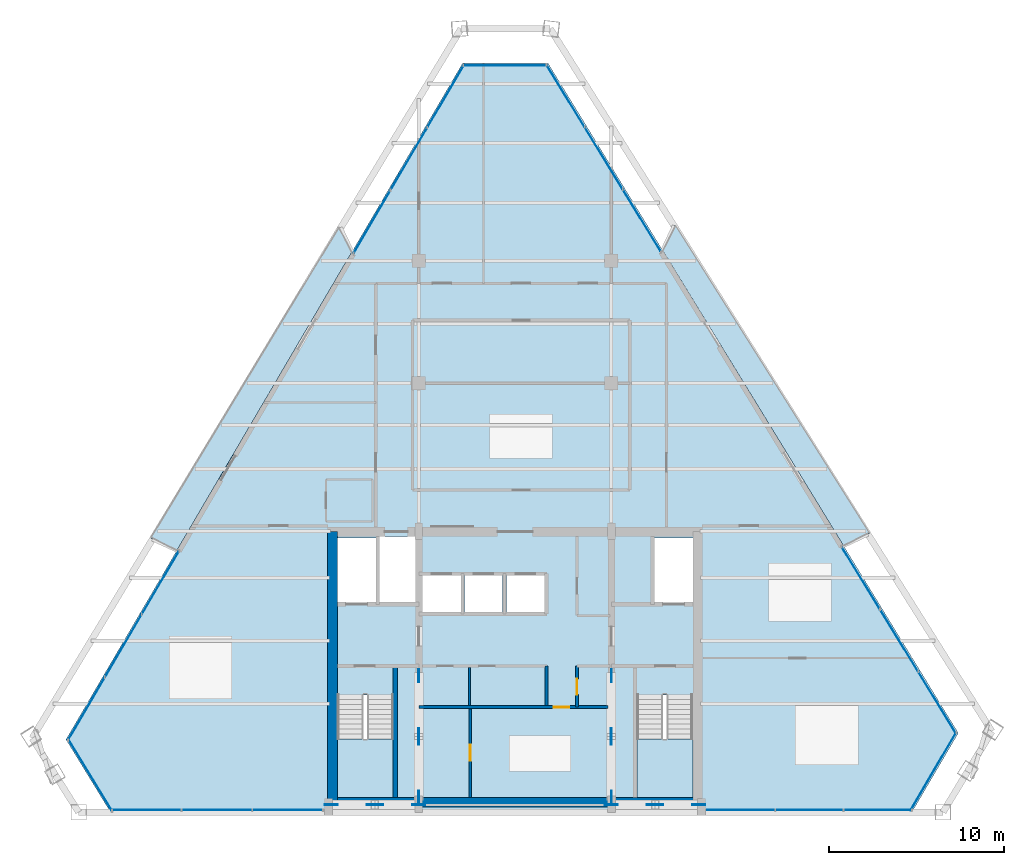
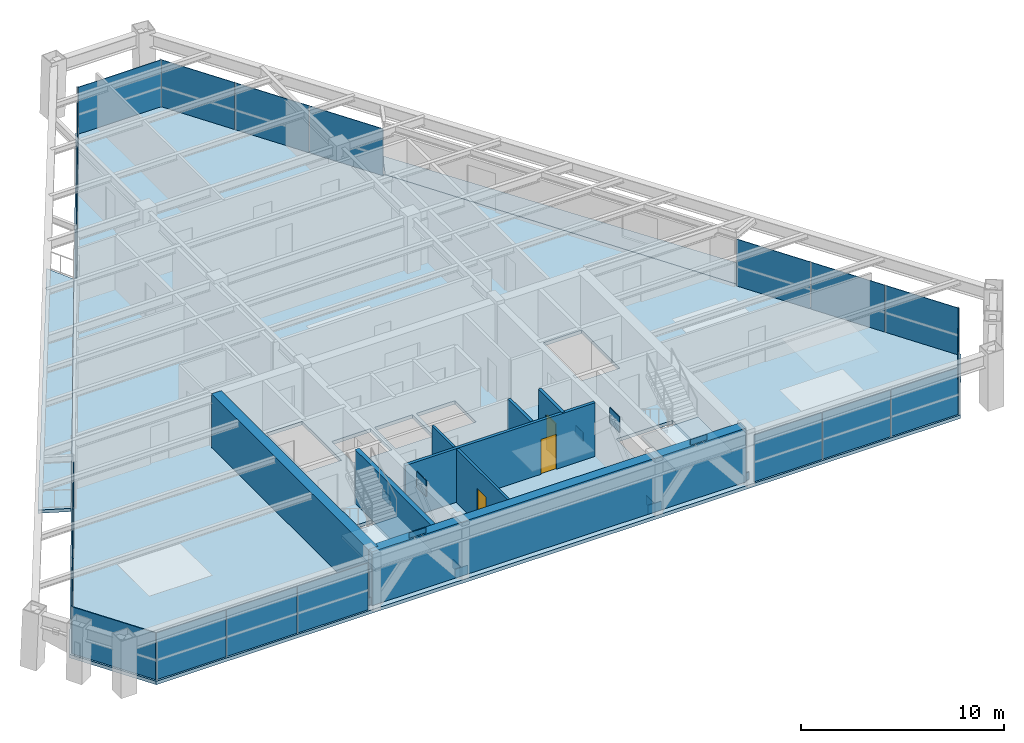
# One storey, part 8 of 13: 33 plates, 8 walls, 5 slabs, 3 doors, 3 openings, 11 elements without a shape of their own.
"""IFC4 building model written with IfcOpenShell, lengths in metres."""

from ifc_helpers import new_model, si_unit, direction, frame, frame_2d, origin, origin_2d, place, context, subcontext, project, spatial, polyline, rectangle, outline, extrude, source, transform, mapped, material, layer, layer_set, type_object, type_shapes, element, fill, aggregate, save


model = new_model("IFC4")

# Units and contexts
model_context = context("Model", 3, precision=1e-05, world=origin(), true_north=direction((0.0, 1.0)))
body_context = subcontext(model_context, "Body", "Model", "MODEL_VIEW")
ifc_project = project(units=[si_unit("LENGTHUNIT", "METRE"), si_unit("AREAUNIT", "SQUARE_METRE"), si_unit("VOLUMEUNIT", "CUBIC_METRE"), si_unit("PLANEANGLEUNIT", "RADIAN"), si_unit("MASSUNIT", "GRAM", prefix="KILO")], contexts=[model_context])

# Site, building, storey
site_placement = place(None, origin())
site = spatial("IfcSite", under=ifc_project, at=site_placement, CompositionType="ELEMENT")
building_placement = place(site_placement, origin())
building = spatial("IfcBuilding", under=site, at=building_placement, Name="Varnakhor Terracotta Tower", CompositionType="ELEMENT")
storey_placement = place(building_placement, frame((0.0, 0.0, 247.60009765625)))
storey = spatial("IfcBuildingStorey", under=building, at=storey_placement, Name="L64", CompositionType="ELEMENT", Elevation=247.60009765625)

# Slab
ifc_material_1 = material(Name="Concrete C40/50", Category="concrete")
ifc_layer_1 = layer(ifc_material_1, 0.2099609375, Name="Concrete C40/50")
ifc_layer_set_1 = layer_set([ifc_layer_1], Name="Concrete C40/50")
slab_type_1 = type_object("IfcSlabType", Name="SLB-HTL-210", PredefinedType="FLOOR", material=ifc_layer_set_1)
slab_1_placement = place(storey_placement, frame((0.0, 0.0, -0.210205078125)))
element("IfcSlab", 1, at=slab_1_placement, inside=storey, type_object=slab_type_1, Name="L64 Structural Floor Slab", PredefinedType="FLOOR", context=body_context, shape_type="SweptSolid", body=[
    extrude(outline(polyline([(-25.647216796875, 4.1513671875), (-2.996826171875, 42.774169921875), (1.88232421875, 42.774169921875), (25.314208984375, 4.51806640625), (22.664794921875, 0.0), (-23.1044921875, 0.0), (-25.647216796875, 4.1513671875)]), holes=[polyline([(-6.949951171875, 0.85009765625), (-6.949951171875, 6.695068359375), (-10.14990234375, 6.695068359375), (-10.14990234375, 0.85009765625), (-6.949951171875, 0.85009765625)]), polyline([(10.14990234375, 0.85009765625), (10.14990234375, 6.695068359375), (6.949951171875, 6.695068359375), (6.949951171875, 0.85009765625), (10.14990234375, 0.85009765625)]), polyline([(-3.10009765625, 11.419921875), (-3.10009765625, 13.52001953125), (-5.300048828125, 13.52001953125), (-5.300048828125, 11.419921875), (-3.10009765625, 11.419921875)]), polyline([(-0.719970703125, 11.419921875), (-0.719970703125, 13.52001953125), (-2.8798828125, 13.52001953125), (-2.8798828125, 11.419921875), (-0.719970703125, 11.419921875)]), polyline([(1.699951171875, 11.419921875), (1.699951171875, 13.52001953125), (-0.5, 13.52001953125), (-0.5, 11.419921875), (1.699951171875, 11.419921875)]), polyline([(-7.949951171875, 11.8798828125), (-7.949951171875, 15.64990234375), (-10.14990234375, 15.64990234375), (-10.14990234375, 11.8798828125), (-7.949951171875, 11.8798828125)]), polyline([(10.14990234375, 11.8798828125), (10.14990234375, 15.64990234375), (7.949951171875, 15.64990234375), (7.949951171875, 11.8798828125), (10.14990234375, 11.8798828125)]), polyline([(-5.699951171875, 11.8798828125), (-5.699951171875, 15.75), (-7.72998046875, 15.75), (-7.72998046875, 11.8798828125), (-5.699951171875, 11.8798828125)])]), origin(), (0.0, 0.0, 1.0), 0.210205078125),
])

# Stair, slab
stair_type = type_object("IfcStairType", Name="STR-CORE-HOTEL-1500", PredefinedType="HALF_TURN_STAIR", material=ifc_material_1)
stair_1_placement = place(storey_placement, origin())
stair_1 = element("IfcStair", 2, at=stair_1_placement, inside=storey, type_object=stair_type, Name="L64 Core Exit Stair ST-1", PredefinedType="HALF_TURN_STAIR")
ifc_layer_2 = layer(ifc_material_1, 0.179931640625, Name="Concrete C40/50")
ifc_layer_set_2 = layer_set([ifc_layer_2], Name="Concrete C40/50")
slab_type_2 = type_object("IfcSlabType", Name="SLB-LANDING-180", PredefinedType="LANDING", material=ifc_layer_set_2)
slab_2_placement = place(storey_placement, frame((0.0, 0.0, 1.52490234375)))
slab_2 = element("IfcSlab", 3, at=slab_2_placement, type_object=slab_type_2, Name="ST-1 landing 1", PredefinedType="LANDING", context=body_context, shape_type="SweptSolid", body=[
    extrude(outline(polyline([(-10.14990234375, 4.18994140625), (-10.14990234375, 0.85009765625), (-6.949951171875, 0.85009765625), (-6.949951171875, 4.18994140625), (-10.14990234375, 4.18994140625)])), origin(), (0.0, 0.0, 1.0), 0.199951171875),
])
aggregate(stair_1, [slab_2])

stair_2_placement = place(storey_placement, origin())
stair_2 = element("IfcStair", 4, at=stair_2_placement, inside=storey, type_object=stair_type, Name="L64 Core Exit Stair ST-2", PredefinedType="HALF_TURN_STAIR")
slab_3_placement = place(storey_placement, frame((0.0, 0.0, 1.52490234375)))
slab_3 = element("IfcSlab", 5, at=slab_3_placement, type_object=slab_type_2, Name="ST-2 landing 1", PredefinedType="LANDING", context=body_context, shape_type="SweptSolid", body=[
    extrude(outline(polyline([(6.949951171875, 4.18994140625), (6.949951171875, 0.85009765625), (10.14990234375, 0.85009765625), (10.14990234375, 4.18994140625), (6.949951171875, 4.18994140625)])), origin(), (0.0, 0.0, 1.0), 0.199951171875),
])
aggregate(stair_2, [slab_3])

# Slabs
ifc_layer_3 = layer(ifc_material_1, 0.195068359375, Name="Concrete C40/50")
ifc_layer_set_3 = layer_set([ifc_layer_3], Name="Concrete C40/50")
slab_type_3 = type_object("IfcSlabType", Name="SLB-LOGGIA-EXT-195", PredefinedType="FLOOR", material=ifc_layer_set_3)
slab_4_placement = place(storey_placement, frame((0.0, 0.0, -0.195068359375)))
element("IfcSlab", 6, at=slab_4_placement, inside=storey, type_object=slab_type_3, Name="L64 E Recessed Outdoor Loggia Slab", PredefinedType="FLOOR", context=body_context, shape_type="SweptSolid", body=[
    extrude(outline(polyline([(9.137451171875, 33.5341796875), (20.238037109375, 15.9287109375), (18.75341796875, 15.229736328125), (8.443359375, 32.0625), (9.137451171875, 33.5341796875)])), origin(), (0.0, 0.0, 1.0), 0.195068359375),
])
slab_5_placement = place(storey_placement, frame((0.0, 0.0, -0.195068359375)))
element("IfcSlab", 7, at=slab_5_placement, inside=storey, type_object=slab_type_3, Name="L64 W Recessed Outdoor Loggia Slab", PredefinedType="FLOOR", context=body_context, shape_type="SweptSolid", body=[
    extrude(outline(polyline([(-20.80224609375, 15.652587890625), (-10.037841796875, 33.426513671875), (-9.3388671875, 31.959716796875), (-15.3857421875, 21.648681640625), (-19.30517578125, 14.9658203125), (-20.80224609375, 15.652587890625)])), origin(), (0.0, 0.0, 1.0), 0.195068359375),
])

# Plates
ifc_material_2 = material(Name="Steel S460", Category="steel")
ifc_layer_4 = layer(ifc_material_2, 0.050048828125, Name="Steel S460")
ifc_layer_set_4 = layer_set([ifc_layer_4], Name="Steel S460")
plate_type_1 = type_object("IfcPlateType", Name="PLT-GUSSET-50", PredefinedType="USERDEFINED", material=ifc_layer_set_4)
shared_shape_1 = source(origin(), body_context, "Body", "SweptSolid", [
    extrude(rectangle(XDim=0.75, YDim=0.0400390625, at=origin_2d()), origin(), (0.0, 0.0, 1.0), 0.550048828125),
])
type_shapes(plate_type_1, [shared_shape_1])
for number, where, z_axis, x_axis, name in (
    (8, (-10.5, 0.419921875, -0.09521484375), (0.0, 0.0, 1.0), (1.0, 0.0, 0.0), "L64 Core Brace Embed Plate CSWA"),
    (9, (-5.5, 0.419921875, -0.09521484375), (0.0, 0.0, 1.0), (1.0, 0.0, 0.0), "L64 Core Brace Embed Plate CSWB"),
    (10, (5.5, 0.419921875, -0.09521484375), (0.0, 0.0, 1.0), (1.0, 0.0, 0.0), "L64 Core Brace Embed Plate CSEA"),
    (11, (10.5, 0.419921875, -0.09521484375), (0.0, 0.0, 1.0), (1.0, 0.0, 0.0), "L64 Core Brace Embed Plate CSEB"),
    (12, (-5.5, 0.85009765625, -0.09521484375), (0.0, 0.0, 1.0), (0.0, 1.0, 0.0), "L64 Core Brace Embed Plate CWWA"),
    (13, (-5.5, 7.800048828125, -0.09521484375), (0.0, 0.0, 1.0), (0.0, 1.0, 0.0), "L64 Core Brace Embed Plate CWWB"),
    (14, (5.5, 0.85009765625, -0.09521484375), (0.0, 0.0, 1.0), (0.0, 1.0, 0.0), "L64 Core Brace Embed Plate CWEA"),
    (15, (5.5, 7.800048828125, -0.09521484375), (0.0, 0.0, 1.0), (0.0, 1.0, 0.0), "L64 Core Brace Embed Plate CWEB"),
):
    element("IfcPlate", number, at=place(storey_placement, frame(where, z_axis=z_axis, x_axis=x_axis)), inside=storey, type_object=plate_type_1, Name=name, ObjectType="GUSSET PLATE", PredefinedType="USERDEFINED", context=body_context, shape_type="MappedRepresentation", body=[
        mapped(shared_shape_1, transform((0.0, 0.0, 0.0), scale=1.0)),
    ])
shared_shape_2 = source(origin(), body_context, "Body", "SweptSolid", [
    extrude(rectangle(XDim=0.949951171875, YDim=0.044921875, at=origin_2d()), origin(), (0.0, 0.0, 1.0), 0.949951171875),
])
for number, where, z_axis, x_axis, name in (
    (16, (-8.0, 0.419921875, 2.61474609375), (0.0, 0.0, 1.0), (1.0, 0.0, 0.0), "L64 Core Brace Apex Gusset CSW"),
    (17, (8.0, 0.419921875, 2.61474609375), (0.0, 0.0, 1.0), (1.0, 0.0, 0.0), "L64 Core Brace Apex Gusset CSE"),
    (18, (-5.5, 4.324951171875, 2.61474609375), (0.0, 0.0, 1.0), (0.0, 1.0, 0.0), "L64 Core Brace Apex Gusset CWW"),
    (19, (5.5, 4.324951171875, 2.61474609375), (0.0, 0.0, 1.0), (0.0, 1.0, 0.0), "L64 Core Brace Apex Gusset CWE"),
):
    element("IfcPlate", number, at=place(storey_placement, frame(where, z_axis=z_axis, x_axis=x_axis)), inside=storey, type_object=plate_type_1, Name=name, ObjectType="GUSSET PLATE", PredefinedType="USERDEFINED", context=body_context, shape_type="MappedRepresentation", body=[
        mapped(shared_shape_2, transform((0.0, 0.0, 0.0), scale=1.0)),
    ])

# Curtain wall, plates
ifc_material_3 = material(Name="Anodised Aluminium Curtain Wall System", Category="aluminium")
curtain_wall_type = type_object("IfcCurtainWallType", Name="CW-SYS-HOTEL-LOGGIA", PredefinedType="NOTDEFINED", material=ifc_material_3)
curtain_wall_1_placement = place(storey_placement, origin())
curtain_wall_1 = element("IfcCurtainWall", 20, at=curtain_wall_1_placement, inside=storey, type_object=curtain_wall_type, Name="L64 South Wing Curtain Wall SSW", PredefinedType="NOTDEFINED")
ifc_material_4 = material(Name="Solar-Control Low-E Insulated Glass Panel", Category="glass")
ifc_layer_5 = layer(ifc_material_4, 0.033935546875, Name="Solar-Control Low-E Insulated Glass Panel")
ifc_layer_set_5 = layer_set([ifc_layer_5], Name="Solar-Control Low-E Insulated Glass Panel")
plate_type_2 = type_object("IfcPlateType", Name="CWP-04", PredefinedType="CURTAIN_PANEL", material=ifc_layer_set_5)
shared_shape_3 = source(origin(), body_context, "Body", "SweptSolid", [
    extrude(rectangle(XDim=4.00146484375, YDim=0.035888671875, at=origin_2d()), origin(), (0.0, 0.0, 1.0), 2.820068359375),
])
plate_1_placement = place(storey_placement, frame((-12.99072265625, 0.1201171875, 0.0), z_axis=(0.0, 0.0, 1.0), x_axis=(-1.0, 0.0, 0.0)))
plate_1 = element("IfcPlate", 21, at=plate_1_placement, type_object=plate_type_2, Name="L64 South Wing Curtain Wall SSW Glazed Panel 1", PredefinedType="CURTAIN_PANEL", context=body_context, shape_type="MappedRepresentation", body=[
    mapped(shared_shape_3, transform((0.0, 0.0, 0.0), scale=1.0)),
])
plate_2_placement = place(storey_placement, frame((-17.0322265625, 0.1201171875, 0.0), z_axis=(0.0, 0.0, 1.0), x_axis=(-1.0, 0.0, 0.0)))
plate_2 = element("IfcPlate", 22, at=plate_2_placement, type_object=plate_type_2, Name="L64 South Wing Curtain Wall SSW Glazed Panel 2", PredefinedType="CURTAIN_PANEL", context=body_context, shape_type="MappedRepresentation", body=[
    mapped(shared_shape_3, transform((0.0, 0.0, 0.0), scale=1.0)),
])
plate_3_placement = place(storey_placement, frame((-21.07373046875, 0.1201171875, 0.0), z_axis=(0.0, 0.0, 1.0), x_axis=(-1.0, 0.0, 0.0)))
plate_3 = element("IfcPlate", 23, at=plate_3_placement, type_object=plate_type_2, Name="L64 South Wing Curtain Wall SSW Glazed Panel 3", PredefinedType="CURTAIN_PANEL", context=body_context, shape_type="MappedRepresentation", body=[
    mapped(shared_shape_3, transform((0.0, 0.0, 0.0), scale=1.0)),
])
aggregate(curtain_wall_1, [plate_1, plate_2, plate_3])

curtain_wall_2_placement = place(storey_placement, origin())
curtain_wall_2 = element("IfcCurtainWall", 24, at=curtain_wall_2_placement, inside=storey, type_object=curtain_wall_type, Name="L64 W Facet Curtain Wall 1", PredefinedType="NOTDEFINED")
shared_shape_4 = source(origin(), body_context, "Body", "SweptSolid", [
    extrude(rectangle(XDim=4.118896484375, YDim=0.035888671875, at=origin_2d()), origin(), (0.0, 0.0, 1.0), 2.820068359375),
])
plate_4_placement = place(storey_placement, frame((-24.4765625, 5.91015625, 0.0), z_axis=(0.0, 0.0, 1.0), x_axis=(0.505868164059, 0.86261080482, 0.0)))
plate_4 = element("IfcPlate", 25, at=plate_4_placement, type_object=plate_type_2, Name="L64 W Facet Curtain Wall 1 Glazed Panel 1", PredefinedType="CURTAIN_PANEL", context=body_context, shape_type="MappedRepresentation", body=[
    mapped(shared_shape_4, transform((0.0, 0.0, 0.0), scale=1.0)),
])
plate_5_placement = place(storey_placement, frame((-22.372802734375, 9.497802734375, 0.0), z_axis=(0.0, 0.0, 1.0), x_axis=(0.505868164059, 0.86261080482, 0.0)))
plate_5 = element("IfcPlate", 26, at=plate_5_placement, type_object=plate_type_2, Name="L64 W Facet Curtain Wall 1 Glazed Panel 2", PredefinedType="CURTAIN_PANEL", context=body_context, shape_type="MappedRepresentation", body=[
    mapped(shared_shape_4, transform((0.0, 0.0, 0.0), scale=1.0)),
])
plate_6_placement = place(storey_placement, frame((-20.268798828125, 13.08544921875, 0.0), z_axis=(0.0, 0.0, 1.0), x_axis=(0.505868164059, 0.86261080482, 0.0)))
plate_6 = element("IfcPlate", 27, at=plate_6_placement, type_object=plate_type_2, Name="L64 W Facet Curtain Wall 1 Glazed Panel 3", PredefinedType="CURTAIN_PANEL", context=body_context, shape_type="MappedRepresentation", body=[
    mapped(shared_shape_4, transform((0.0, 0.0, 0.0), scale=1.0)),
])
aggregate(curtain_wall_2, [plate_4, plate_5, plate_6])

curtain_wall_3_placement = place(storey_placement, origin())
curtain_wall_3 = element("IfcCurtainWall", 28, at=curtain_wall_3_placement, inside=storey, type_object=curtain_wall_type, Name="L64 W Facet Curtain Wall 2", PredefinedType="NOTDEFINED")
plate_7_placement = place(storey_placement, frame((-8.168212890625, 33.71875, 0.0), z_axis=(0.0, 0.0, 1.0), x_axis=(0.505868164059, 0.86261080482, 0.0)))
plate_7 = element("IfcPlate", 29, at=plate_7_placement, type_object=plate_type_2, Name="L64 W Facet Curtain Wall 2 Glazed Panel 1", PredefinedType="CURTAIN_PANEL", context=body_context, shape_type="MappedRepresentation", body=[
    mapped(shared_shape_4, transform((0.0, 0.0, 0.0), scale=1.0)),
])
plate_8_placement = place(storey_placement, frame((-6.064453125, 37.306396484375, 0.0), z_axis=(0.0, 0.0, 1.0), x_axis=(0.505868164059, 0.86261080482, 0.0)))
plate_8 = element("IfcPlate", 30, at=plate_8_placement, type_object=plate_type_2, Name="L64 W Facet Curtain Wall 2 Glazed Panel 2", PredefinedType="CURTAIN_PANEL", context=body_context, shape_type="MappedRepresentation", body=[
    mapped(shared_shape_4, transform((0.0, 0.0, 0.0), scale=1.0)),
])
plate_9_placement = place(storey_placement, frame((-3.96044921875, 40.893798828125, 0.0), z_axis=(0.0, 0.0, 1.0), x_axis=(0.505868164059, 0.86261080482, 0.0)))
plate_9 = element("IfcPlate", 31, at=plate_9_placement, type_object=plate_type_2, Name="L64 W Facet Curtain Wall 2 Glazed Panel 3", PredefinedType="CURTAIN_PANEL", context=body_context, shape_type="MappedRepresentation", body=[
    mapped(shared_shape_4, transform((0.0, 0.0, 0.0), scale=1.0)),
])
aggregate(curtain_wall_3, [plate_7, plate_8, plate_9])

# Curtain wall, plate
curtain_wall_4_placement = place(storey_placement, origin())
curtain_wall_4 = element("IfcCurtainWall", 32, at=curtain_wall_4_placement, inside=storey, type_object=curtain_wall_type, Name="L64 Facet Curtain Wall 2", PredefinedType="NOTDEFINED")
shared_shape_5 = source(origin(), body_context, "Body", "SweptSolid", [
    extrude(rectangle(XDim=4.779052734375, YDim=0.035888671875, at=origin_2d()), origin(), (0.0, 0.0, 1.0), 2.820068359375),
])
plate_10_placement = place(storey_placement, frame((-0.557373046875, 42.654296875, 0.0), z_axis=(0.0, 0.0, 1.0), x_axis=(1.0, 0.0, 0.0)))
plate_10 = element("IfcPlate", 33, at=plate_10_placement, type_object=plate_type_2, Name="L64 Facet Curtain Wall 2 Glazed Panel 1", PredefinedType="CURTAIN_PANEL", context=body_context, shape_type="MappedRepresentation", body=[
    mapped(shared_shape_5, transform((0.0, 0.0, 0.0), scale=1.0)),
])
aggregate(curtain_wall_4, [plate_10])

# Curtain wall, plates
curtain_wall_5_placement = place(storey_placement, origin())
curtain_wall_5 = element("IfcCurtainWall", 34, at=curtain_wall_5_placement, inside=storey, type_object=curtain_wall_type, Name="L64 E Facet Curtain Wall 1", PredefinedType="NOTDEFINED")
shared_shape_6 = source(origin(), body_context, "Body", "SweptSolid", [
    extrude(rectangle(XDim=4.127197265625, YDim=0.035888671875, at=origin_2d()), origin(), (0.0, 0.0, 1.0), 2.820068359375),
])
plate_11_placement = place(storey_placement, frame((2.8837890625, 40.9091796875, 0.0), z_axis=(0.0, 0.0, 1.0), x_axis=(0.522319976719, -0.852749577496, 0.0)))
plate_11 = element("IfcPlate", 35, at=plate_11_placement, type_object=plate_type_2, Name="L64 E Facet Curtain Wall 1 Glazed Panel 1", PredefinedType="CURTAIN_PANEL", context=body_context, shape_type="MappedRepresentation", body=[
    mapped(shared_shape_6, transform((0.0, 0.0, 0.0), scale=1.0)),
])
plate_12_placement = place(storey_placement, frame((5.060302734375, 37.355712890625, 0.0), z_axis=(0.0, 0.0, 1.0), x_axis=(0.522319976719, -0.852749577496, 0.0)))
plate_12 = element("IfcPlate", 36, at=plate_12_placement, type_object=plate_type_2, Name="L64 E Facet Curtain Wall 1 Glazed Panel 2", PredefinedType="CURTAIN_PANEL", context=body_context, shape_type="MappedRepresentation", body=[
    mapped(shared_shape_6, transform((0.0, 0.0, 0.0), scale=1.0)),
])
plate_13_placement = place(storey_placement, frame((7.237060546875, 33.802001953125, 0.0), z_axis=(0.0, 0.0, 1.0), x_axis=(0.522319976719, -0.852749577496, 0.0)))
plate_13 = element("IfcPlate", 37, at=plate_13_placement, type_object=plate_type_2, Name="L64 E Facet Curtain Wall 1 Glazed Panel 3", PredefinedType="CURTAIN_PANEL", context=body_context, shape_type="MappedRepresentation", body=[
    mapped(shared_shape_6, transform((0.0, 0.0, 0.0), scale=1.0)),
])
aggregate(curtain_wall_5, [plate_11, plate_12, plate_13])

curtain_wall_6_placement = place(storey_placement, origin())
curtain_wall_6 = element("IfcCurtainWall", 38, at=curtain_wall_6_placement, inside=storey, type_object=curtain_wall_type, Name="L64 E Facet Curtain Wall 2", PredefinedType="NOTDEFINED")
plate_14_placement = place(storey_placement, frame((19.7548828125, 13.36474609375, 0.0), z_axis=(0.0, 0.0, 1.0), x_axis=(0.522319976719, -0.852749577496, 0.0)))
plate_14 = element("IfcPlate", 39, at=plate_14_placement, type_object=plate_type_2, Name="L64 E Facet Curtain Wall 2 Glazed Panel 1", PredefinedType="CURTAIN_PANEL", context=body_context, shape_type="MappedRepresentation", body=[
    mapped(shared_shape_6, transform((0.0, 0.0, 0.0), scale=1.0)),
])
plate_15_placement = place(storey_placement, frame((21.931396484375, 9.811279296875, 0.0), z_axis=(0.0, 0.0, 1.0), x_axis=(0.522319976719, -0.852749577496, 0.0)))
plate_15 = element("IfcPlate", 40, at=plate_15_placement, type_object=plate_type_2, Name="L64 E Facet Curtain Wall 2 Glazed Panel 2", PredefinedType="CURTAIN_PANEL", context=body_context, shape_type="MappedRepresentation", body=[
    mapped(shared_shape_6, transform((0.0, 0.0, 0.0), scale=1.0)),
])
plate_16_placement = place(storey_placement, frame((24.10791015625, 6.2578125, 0.0), z_axis=(0.0, 0.0, 1.0), x_axis=(0.522319976719, -0.852749577496, 0.0)))
plate_16 = element("IfcPlate", 41, at=plate_16_placement, type_object=plate_type_2, Name="L64 E Facet Curtain Wall 2 Glazed Panel 3", PredefinedType="CURTAIN_PANEL", context=body_context, shape_type="MappedRepresentation", body=[
    mapped(shared_shape_6, transform((0.0, 0.0, 0.0), scale=1.0)),
])
aggregate(curtain_wall_6, [plate_14, plate_15, plate_16])

# Curtain wall, plate
curtain_wall_7_placement = place(storey_placement, origin())
curtain_wall_7 = element("IfcCurtainWall", 42, at=curtain_wall_7_placement, inside=storey, type_object=curtain_wall_type, Name="L64 Facet Curtain Wall 4", PredefinedType="NOTDEFINED")
shared_shape_7 = source(origin(), body_context, "Body", "SweptSolid", [
    extrude(rectangle(XDim=5.1376953125, YDim=0.035888671875, at=origin_2d()), origin(), (0.0, 0.0, 1.0), 2.820068359375),
])
plate_17_placement = place(storey_placement, frame((23.885986328125, 2.319580078125, 0.0), z_axis=(0.0, 0.0, 1.0), x_axis=(-0.505868164059, -0.86261080482, 0.0)))
plate_17 = element("IfcPlate", 43, at=plate_17_placement, type_object=plate_type_2, Name="L64 Facet Curtain Wall 4 Glazed Panel 1", PredefinedType="CURTAIN_PANEL", context=body_context, shape_type="MappedRepresentation", body=[
    mapped(shared_shape_7, transform((0.0, 0.0, 0.0), scale=1.0)),
])
aggregate(curtain_wall_7, [plate_17])

# Curtain wall, plates
curtain_wall_8_placement = place(storey_placement, origin())
curtain_wall_8 = element("IfcCurtainWall", 44, at=curtain_wall_8_placement, inside=storey, type_object=curtain_wall_type, Name="L64 South Wing Curtain Wall SSE", PredefinedType="NOTDEFINED")
shared_shape_8 = source(origin(), body_context, "Body", "SweptSolid", [
    extrude(rectangle(XDim=3.85498046875, YDim=0.035888671875, at=origin_2d()), origin(), (0.0, 0.0, 1.0), 2.820068359375),
])
plate_18_placement = place(storey_placement, frame((20.707275390625, 0.1201171875, 0.0), z_axis=(0.0, 0.0, 1.0), x_axis=(-1.0, 0.0, 0.0)))
plate_18 = element("IfcPlate", 45, at=plate_18_placement, type_object=plate_type_2, Name="L64 South Wing Curtain Wall SSE Glazed Panel 1", PredefinedType="CURTAIN_PANEL", context=body_context, shape_type="MappedRepresentation", body=[
    mapped(shared_shape_8, transform((0.0, 0.0, 0.0), scale=1.0)),
])
plate_19_placement = place(storey_placement, frame((16.812255859375, 0.1201171875, 0.0), z_axis=(0.0, 0.0, 1.0), x_axis=(-1.0, 0.0, 0.0)))
plate_19 = element("IfcPlate", 46, at=plate_19_placement, type_object=plate_type_2, Name="L64 South Wing Curtain Wall SSE Glazed Panel 2", PredefinedType="CURTAIN_PANEL", context=body_context, shape_type="MappedRepresentation", body=[
    mapped(shared_shape_8, transform((0.0, 0.0, 0.0), scale=1.0)),
])
plate_20_placement = place(storey_placement, frame((12.91748046875, 0.1201171875, 0.0), z_axis=(0.0, 0.0, 1.0), x_axis=(-1.0, 0.0, 0.0)))
plate_20 = element("IfcPlate", 47, at=plate_20_placement, type_object=plate_type_2, Name="L64 South Wing Curtain Wall SSE Glazed Panel 3", PredefinedType="CURTAIN_PANEL", context=body_context, shape_type="MappedRepresentation", body=[
    mapped(shared_shape_8, transform((0.0, 0.0, 0.0), scale=1.0)),
])
aggregate(curtain_wall_8, [plate_18, plate_19, plate_20])

# Curtain wall, plate
curtain_wall_9_placement = place(storey_placement, origin())
curtain_wall_9 = element("IfcCurtainWall", 48, at=curtain_wall_9_placement, inside=storey, type_object=curtain_wall_type, Name="L64 Facet Curtain Wall 6", PredefinedType="NOTDEFINED")
shared_shape_9 = source(origin(), body_context, "Body", "SweptSolid", [
    extrude(rectangle(XDim=4.76806640625, YDim=0.035888671875, at=origin_2d()), origin(), (0.0, 0.0, 1.0), 2.820068359375),
])
plate_21_placement = place(storey_placement, frame((-24.2734375, 2.13818359375, 0.0), z_axis=(0.0, 0.0, 1.0), x_axis=(-0.522319976719, 0.852749577496, 0.0)))
plate_21 = element("IfcPlate", 49, at=plate_21_placement, type_object=plate_type_2, Name="L64 Facet Curtain Wall 6 Glazed Panel 1", PredefinedType="CURTAIN_PANEL", context=body_context, shape_type="MappedRepresentation", body=[
    mapped(shared_shape_9, transform((0.0, 0.0, 0.0), scale=1.0)),
])
aggregate(curtain_wall_9, [plate_21])

# Walls
ifc_material_5 = material(Name="Concrete C50/60", Category="concrete")
ifc_layer_6 = layer(ifc_material_5, 0.550048828125, Name="Concrete C50/60")
ifc_layer_set_6 = layer_set([ifc_layer_6], Name="Concrete C50/60")
wall_type_1 = type_object("IfcWallType", Name="WAL-CORE-550", PredefinedType="SHEAR", material=ifc_layer_set_6)
wall_1_placement = place(storey_placement, frame((-10.64990234375, 0.574951171875, 0.0), z_axis=(0.0, 0.0, 1.0), x_axis=(1.0, 0.0, 0.0)))
element("IfcWall", 50, at=wall_1_placement, inside=storey, type_object=wall_type_1, Name="L64 South Core Shear Wall", PredefinedType="SHEAR", context=body_context, shape_type="SweptSolid", body=[
    extrude(rectangle(XDim=21.2998046875, YDim=0.550048828125, at=frame_2d((10.64990234375, 0.0))), origin(), (0.0, 0.0, 1.0), 3.239990234375),
])
wall_2_placement = place(storey_placement, frame((-10.425048828125, 0.574951171875, 0.0), z_axis=(0.0, 0.0, 1.0), x_axis=(0.0, 1.0, 0.0)))
element("IfcWall", 51, at=wall_2_placement, inside=storey, type_object=wall_type_1, Name="L64 West Core Shear Wall", PredefinedType="SHEAR", context=body_context, shape_type="SweptSolid", body=[
    extrude(rectangle(XDim=15.449951171875, YDim=0.550048828125, at=frame_2d((7.72509765625, 0.0))), origin(), (0.0, 0.0, 1.0), 3.239990234375),
])
ifc_layer_7 = layer(ifc_material_1, 0.25, Name="Concrete C40/50")
ifc_layer_set_7 = layer_set([ifc_layer_7], Name="Concrete C40/50")
wall_type_2 = type_object("IfcWallType", Name="WAL-SHAFT-250", PredefinedType="SOLIDWALL", material=ifc_layer_set_7)
wall_3_placement = place(storey_placement, frame((-6.85009765625, 0.85009765625, 0.0), z_axis=(0.0, 0.0, 1.0), x_axis=(0.0, 1.0, 0.0)))
element("IfcWall", 52, at=wall_3_placement, inside=storey, type_object=wall_type_2, Name="L64 Stair ST-1 Bearing Shaft Wall", PredefinedType="SOLIDWALL", context=body_context, shape_type="SweptSolid", body=[
    extrude(rectangle(XDim=7.5, YDim=0.25, at=frame_2d((3.75, 0.0))), origin(), (0.0, 0.0, 1.0), 3.239990234375),
])
ifc_material_6 = material(Name="Acoustic Fire-Rated Partition", Category="gypsum")
ifc_layer_8 = layer(ifc_material_6, 0.114990234375, Name="Acoustic Fire-Rated Partition")
ifc_layer_set_8 = layer_set([ifc_layer_8], Name="Acoustic Fire-Rated Partition")
wall_type_3 = type_object("IfcWallType", Name="WAL-TENANCY-115", PredefinedType="PARTITIONING", material=ifc_layer_set_8)
wall_4_placement = place(storey_placement, frame((-2.60009765625, 6.10009765625, 0.0), z_axis=(0.0, 0.0, 1.0), x_axis=(0.0, 1.0, 0.0)))
element("IfcWall", 53, at=wall_4_placement, inside=storey, type_object=wall_type_3, Name="L64 Reclaimed Mid-Core Split Wall", PredefinedType="PARTITIONING", context=body_context, shape_type="SweptSolid", body=[
    extrude(rectangle(XDim=2.14990234375, YDim=0.114990234375, at=frame_2d((1.074951171875, 0.0))), origin(), (0.0, 0.0, 1.0), 3.23193359375),
])

# Wall, opening, door
ifc_layer_9 = layer(ifc_material_6, 0.139892578125, Name="Acoustic Fire-Rated Partition")
ifc_layer_set_9 = layer_set([ifc_layer_9], Name="Acoustic Fire-Rated Partition")
wall_type_4 = type_object("IfcWallType", Name="WAL-TENANCY-140", PredefinedType="PARTITIONING", material=ifc_layer_set_9)
wall_5_placement = place(storey_placement, frame((-2.550048828125, 0.85009765625, 0.0), z_axis=(0.0, 0.0, 1.0), x_axis=(0.0, 1.0, 0.0)))
wall_5 = element("IfcWall", 54, at=wall_5_placement, inside=storey, type_object=wall_type_4, Name="L64 Reclaimed Core Bay Split Wall", PredefinedType="PARTITIONING", context=body_context, shape_type="SweptSolid", body=[
    extrude(rectangle(XDim=5.02978515625, YDim=0.139892578125, at=frame_2d((2.514892578125, 0.0))), origin(), (0.0, 0.0, 1.0), 3.23193359375),
])
opening_1_placement = place(wall_5_placement, frame((2.10009765625, 0.0, 0.0)))
opening_1 = element("IfcOpeningElement", 55, at=opening_1_placement, cuts=wall_5, Name="Opening DR-67", PredefinedType="OPENING", context=body_context, shape_type="SweptSolid", body=[
    extrude(rectangle(XDim=0.89990234375, YDim=2.10009765625, at=frame_2d((0.449951171875, 1.050048828125))), frame((0.0, 0.080078125, 0.0), z_axis=(0.0, -1.0, 0.0), x_axis=(1.0, 0.0, 0.0)), (0.0, 0.0, 1.0), 0.159912109375),
])
ifc_material_7 = material(Name="Steel Service Riser Fire Door", Category="steel")
door_type = type_object("IfcDoorType", Name="DR-RISER-900X2100", OperationType="NOTDEFINED", PredefinedType="DOOR", material=ifc_material_7)
shared_shape_10 = source(origin(), body_context, "Body", "SweptSolid", [
    extrude(rectangle(XDim=0.89990234375, YDim=2.10009765625, at=frame_2d((0.449951171875, 1.050048828125))), frame((0.0, 0.02490234375, 0.0), z_axis=(0.0, -1.0, 0.0), x_axis=(1.0, 0.0, 0.0)), (0.0, 0.0, 1.0), 0.050048828125),
])
type_shapes(door_type, [shared_shape_10])
door_1_placement = place(opening_1_placement, origin())
door_1 = element("IfcDoor", 56, at=door_1_placement, inside=storey, type_object=door_type, Name="L64 Core Inner Service Door", OperationType="SINGLE_SWING_RIGHT", OverallHeight=2.10009765625, OverallWidth=0.89990234375, PredefinedType="DOOR", context=body_context, shape_type="MappedRepresentation", body=[
    mapped(shared_shape_10, transform((0.0, 0.0, 0.0), scale=1.0)),
])
fill(opening_1, door_1)

ifc_layer_10 = layer(ifc_material_6, 0.1650390625, Name="Acoustic Fire-Rated Partition")
ifc_layer_set_10 = layer_set([ifc_layer_10], Name="Acoustic Fire-Rated Partition")
wall_type_5 = type_object("IfcWallType", Name="WAL-TENANCY-165", PredefinedType="PARTITIONING", material=ifc_layer_set_10)
wall_6_placement = place(storey_placement, frame((-5.5, 6.0, 0.0), z_axis=(0.0, 0.0, 1.0), x_axis=(1.0, 0.0, 0.0)))
wall_6 = element("IfcWall", 57, at=wall_6_placement, inside=storey, type_object=wall_type_5, Name="L64 Reclaimed Core Bay North Rated Wall", PredefinedType="PARTITIONING", context=body_context, shape_type="SweptSolid", body=[
    extrude(rectangle(XDim=10.800048828125, YDim=0.1650390625, at=frame_2d((5.39990234375, 0.0))), origin(), (0.0, 0.0, 1.0), 3.23193359375),
])
opening_2_placement = place(wall_6_placement, frame((7.699951171875, 0.0, 0.0)))
opening_2 = element("IfcOpeningElement", 58, at=opening_2_placement, cuts=wall_6, Name="Opening DR-67", PredefinedType="OPENING", context=body_context, shape_type="SweptSolid", body=[
    extrude(rectangle(XDim=0.89990234375, YDim=2.10009765625, at=frame_2d((0.449951171875, 1.050048828125))), frame((0.0, 0.092529296875, 0.0), z_axis=(0.0, -1.0, 0.0), x_axis=(1.0, 0.0, 0.0)), (0.0, 0.0, 1.0), 0.18505859375),
])
door_2_placement = place(opening_2_placement, origin())
door_2 = element("IfcDoor", 59, at=door_2_placement, inside=storey, type_object=door_type, Name="L64 Core Reclaimed Suite Door", OperationType="SINGLE_SWING_LEFT", OverallHeight=2.10009765625, OverallWidth=0.89990234375, PredefinedType="DOOR", context=body_context, shape_type="MappedRepresentation", body=[
    mapped(shared_shape_10, transform((0.0, 0.0, 0.0), scale=1.0)),
])
fill(opening_2, door_2)

wall_7_placement = place(storey_placement, frame((3.5400390625, 6.0, 0.0), z_axis=(0.0, 0.0, 1.0), x_axis=(0.0, 1.0, 0.0)))
wall_7 = element("IfcWall", 60, at=wall_7_placement, inside=storey, type_object=wall_type_5, Name="L64 Accessible WC Rated Wall", PredefinedType="PARTITIONING", context=body_context, shape_type="SweptSolid", body=[
    extrude(rectangle(XDim=2.340087890625, YDim=0.1650390625, at=frame_2d((1.169921875, 0.0))), origin(), (0.0, 0.0, 1.0), 3.23193359375),
])
opening_3_placement = place(wall_7_placement, frame((0.719970703125, 0.0, 0.0)))
opening_3 = element("IfcOpeningElement", 61, at=opening_3_placement, cuts=wall_7, Name="Opening DR-67", PredefinedType="OPENING", context=body_context, shape_type="SweptSolid", body=[
    extrude(rectangle(XDim=0.89990234375, YDim=2.10009765625, at=frame_2d((0.449951171875, 1.050048828125))), frame((0.0, 0.092529296875, 0.0), z_axis=(0.0, -1.0, 0.0), x_axis=(1.0, 0.0, 0.0)), (0.0, 0.0, 1.0), 0.18505859375),
])
door_3_placement = place(opening_3_placement, origin())
door_3 = element("IfcDoor", 62, at=door_3_placement, inside=storey, type_object=door_type, Name="L64 Accessible WC Door", OperationType="SINGLE_SWING_LEFT", OverallHeight=2.10009765625, OverallWidth=0.89990234375, PredefinedType="DOOR", context=body_context, shape_type="MappedRepresentation", body=[
    mapped(shared_shape_10, transform((0.0, 0.0, 0.0), scale=1.0)),
])
fill(opening_3, door_3)

# Wall
wall_8_placement = place(storey_placement, frame((1.800048828125, 6.10009765625, 0.0), z_axis=(0.0, 0.0, 1.0), x_axis=(0.0, 1.0, 0.0)))
element("IfcWall", 63, at=wall_8_placement, inside=storey, type_object=wall_type_5, Name="L64 Reclaimed Mid-Core East Wall", PredefinedType="PARTITIONING", context=body_context, shape_type="SweptSolid", body=[
    extrude(rectangle(XDim=2.25, YDim=0.1650390625, at=frame_2d((1.125, 0.0))), origin(), (0.0, 0.0, 1.0), 3.23193359375),
])

save(model, "model.ifc")
